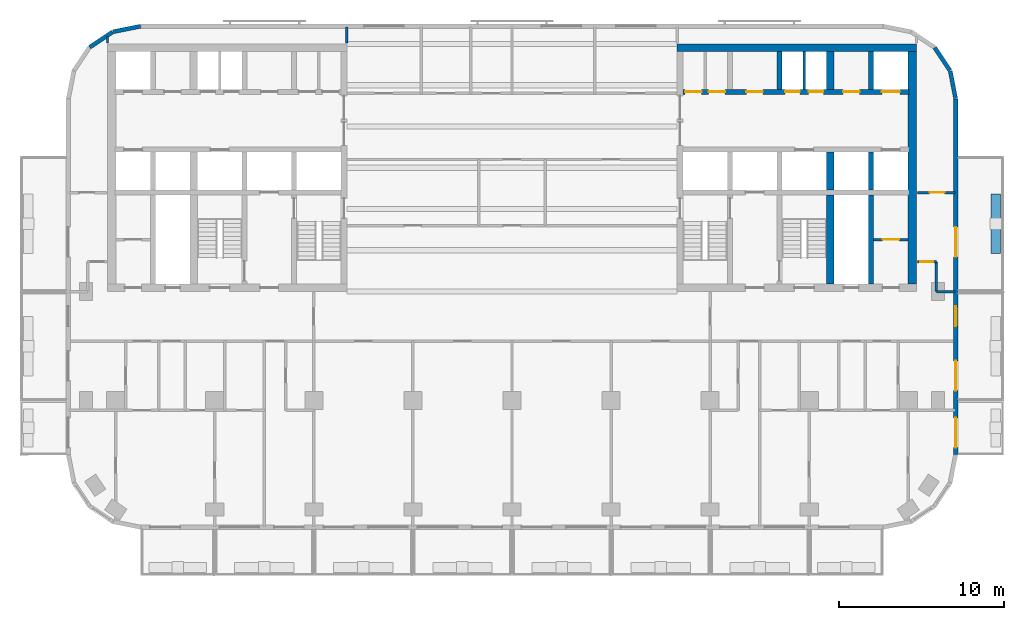
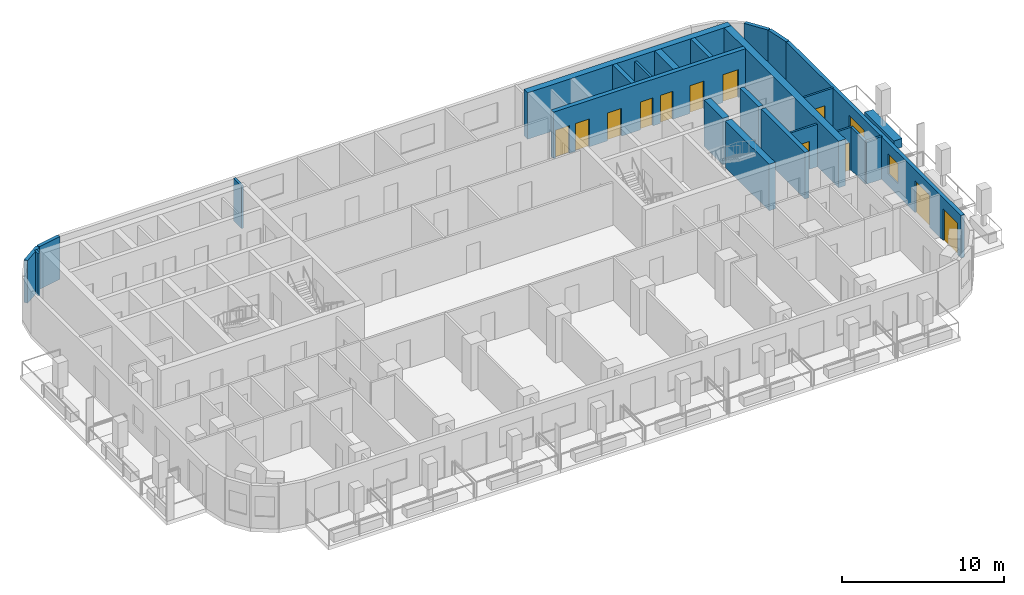
# One storey, part 7 of 12: 24 walls, 13 doors, 1 window, 14 openings.
"""IFC4 building model written with IfcOpenShell, lengths in metres."""

import ifcopenshell
import ifcopenshell.guid

model = None  # the IFC model being written
_history = None  # IfcOwnerHistory: only IFC2X3 demands one
_inside = {}  # id of a spatial element -> (the spatial element, [elements in it])
_under = {}  # id of a project, library or spatial element -> (it, [spatial elements below it])
_declared = {}  # id of a project -> (the project, [libraries it declares])
_typed = {}  # id of a type object -> (the type object, [elements of that type])
_made_of = {}  # id of a material, layer set ... -> (it, [elements and type objects made of it])


def new_model(schema):
    """Start an empty IFC model of exactly this schema.

    Asked for "IFC4X3", IfcOpenShell would pick the latest addendum, in which some entities
    have other attributes; the version numbers below select the first issue.
    IFC2X3 requires an IfcOwnerHistory on every rooted entity: one is made here for all.
    """
    global model, _history
    if schema == "IFC4X3":
        model = ifcopenshell.file(schema_version=(4, 3, 0, 0))
    else:
        model = ifcopenshell.file(schema=schema)
    _inside.clear()
    _under.clear()
    _declared.clear()
    _typed.clear()
    _made_of.clear()
    _history = None
    if model.schema == "IFC2X3":
        org = make("IfcOrganization", Name="unknown")
        user = make(
            "IfcPersonAndOrganization",
            ThePerson=make("IfcPerson", FamilyName="unknown"),
            TheOrganization=org,
        )
        app = make(
            "IfcApplication",
            ApplicationDeveloper=org,
            Version="unknown",
            ApplicationFullName="unknown",
            ApplicationIdentifier="unknown",
        )
        _history = make(
            "IfcOwnerHistory",
            OwningUser=user,
            OwningApplication=app,
            ChangeAction="ADDED",
            CreationDate=0,
        )
    return model


def make(cls, **values):
    """One entity of the class cls with the attributes given. An attribute that is None is left unset."""
    return model.create_entity(
        cls, **{name: value for name, value in values.items() if value is not None}
    )


def rooted(cls, **values):
    """An entity with a GlobalId (a new one), such as an element, a storey or a relation."""
    return make(cls, GlobalId=ifcopenshell.guid.new(), OwnerHistory=_history, **values)


def si_unit(unit_type, name, prefix=None):
    """IfcSIUnit, for example si_unit("LENGTHUNIT", "METRE", prefix="MILLI")."""
    return make("IfcSIUnit", UnitType=unit_type, Prefix=prefix, Name=name)


def assignment(units):
    """IfcUnitAssignment: the units of a project."""
    return None if units is None else make("IfcUnitAssignment", Units=units)


def point(xyz):
    """IfcCartesianPoint."""
    return None if xyz is None else make("IfcCartesianPoint", Coordinates=xyz)


def direction(xyz):
    """IfcDirection."""
    return None if xyz is None else make("IfcDirection", DirectionRatios=xyz)


def frame(location, z_axis=None, x_axis=None):
    """IfcAxis2Placement3D, a coordinate frame: its origin and axes. An axis left out is left unset."""
    return make(
        "IfcAxis2Placement3D",
        Location=point(location),
        Axis=direction(z_axis),
        RefDirection=direction(x_axis),
    )


def frame_2d(location, x_axis=None):
    """IfcAxis2Placement2D, a coordinate frame in the plane: its origin and x axis."""
    return make(
        "IfcAxis2Placement2D", Location=point(location), RefDirection=direction(x_axis)
    )


def origin():
    """The frame at (0, 0, 0) with its axes left unset."""
    return frame((0.0, 0.0, 0.0))


def place(relative_to, where):
    """IfcLocalPlacement: puts the frame where relative to a parent placement (None: the world)."""
    return make(
        "IfcLocalPlacement", PlacementRelTo=relative_to, RelativePlacement=where
    )


def context(
    kind, dimensions, precision=None, world=None, true_north=None, identifier=None
):
    """IfcGeometricRepresentationContext, for example the 3D "Model" context."""
    return make(
        "IfcGeometricRepresentationContext",
        ContextIdentifier=identifier,
        ContextType=kind,
        CoordinateSpaceDimension=dimensions,
        Precision=precision,
        WorldCoordinateSystem=world,
        TrueNorth=true_north,
    )


def subcontext(parent, identifier, kind, view, scale=None):
    """IfcGeometricRepresentationSubContext, for example "Body" below "Model"."""
    return make(
        "IfcGeometricRepresentationSubContext",
        ContextIdentifier=identifier,
        ContextType=kind,
        ParentContext=parent,
        TargetScale=scale,
        TargetView=view,
    )


def project(units=None, contexts=None):
    """IfcProject with its units and contexts."""
    return rooted(
        "IfcProject",
        Name="project",
        RepresentationContexts=contexts,
        UnitsInContext=assignment(units),
    )


def spatial(cls, under=None, at=None, **own):
    """A site, building, storey or space (cls), placed at a placement, below another one or the project."""
    s = rooted(cls, ObjectPlacement=at, **own)
    if under is not None:
        _under.setdefault(under.id(), (under, []))[1].append(s)
    return s


def profile(cls, at=None, kind="AREA", **sizes):
    """A parametric profile (cls). Its sizes go by their IFC names, for example OverallWidth=200.0."""
    return make(cls, ProfileType=kind, Position=at, **sizes)


def rectangle(**sizes):
    """IfcRectangleProfileDef."""
    return profile("IfcRectangleProfileDef", **sizes)


def extrude(swept, where, along, depth):
    """IfcExtrudedAreaSolid: the profile swept, set in the frame where, extruded along a direction by depth."""
    return make(
        "IfcExtrudedAreaSolid",
        SweptArea=swept,
        Position=where,
        ExtrudedDirection=direction(along),
        Depth=depth,
    )


def shape(context_of_items, identifier, shape_type, items):
    """IfcShapeRepresentation: the items that make up one representation, for example the "Body"."""
    return make(
        "IfcShapeRepresentation",
        ContextOfItems=context_of_items,
        RepresentationIdentifier=identifier,
        RepresentationType=shape_type,
        Items=items,
    )


def material(Name=None, Category=None):
    """IfcMaterial."""
    return make("IfcMaterial", Name=Name, Category=Category)


def layer(
    of_material, thickness, ventilated=None, Name=None, Category=None, Priority=None
):
    """IfcMaterialLayer: one layer of a wall or slab, of a material (None: an air gap)."""
    return make(
        "IfcMaterialLayer",
        Material=of_material,
        LayerThickness=thickness,
        IsVentilated=ventilated,
        Name=Name,
        Category=Category,
        Priority=Priority,
    )


def layer_set(layers, Name=None):
    """IfcMaterialLayerSet."""
    return make("IfcMaterialLayerSet", MaterialLayers=layers, LayerSetName=Name)


def made_of(thing, what):
    """Note that an element or type object is made of a material, layer set ...; save() writes the relation."""
    if what is not None:
        _made_of.setdefault(what.id(), (what, []))[1].append(thing)
    return thing


def type_object(cls, material=None, **own):
    """A type object (cls), such as IfcWallType, which elements share."""
    return made_of(rooted(cls, **own), material)


def element(
    cls,
    number,
    at=None,
    inside=None,
    cuts=None,
    type_object=None,
    material=None,
    context=None,
    identifier="Body",
    shape_type=None,
    held_by="IfcProductDefinitionShape",
    body=None,
    shapes=None,
    **own,
):
    """One element of the class cls, such as IfcWall. Its Tag is "e" and its number.

    at: its placement. inside: the storey or other place that contains it. cuts: it is an
    opening in that element (IfcRelVoidsElement). A single representation is given by context,
    identifier, shape_type and body (its items); several are given by shapes. held_by: the class
    of the entity that holds the representations. save() writes the other relations.
    """
    e = rooted(cls, Tag="e%d" % number, ObjectPlacement=at, **own)
    if body is not None:
        shapes = [shape(context, identifier, shape_type, body)]
    if shapes is not None:
        e.Representation = make(held_by, Representations=shapes)
    if inside is not None:
        _inside.setdefault(inside.id(), (inside, []))[1].append(e)
    if cuts is not None:
        rooted(
            "IfcRelVoidsElement", RelatingBuildingElement=cuts, RelatedOpeningElement=e
        )
    if type_object is not None:
        _typed.setdefault(type_object.id(), (type_object, []))[1].append(e)
    return made_of(e, material)


def fill(opening, filler):
    """IfcRelFillsElement: the door or window that sits in an opening."""
    return rooted(
        "IfcRelFillsElement",
        RelatingOpeningElement=opening,
        RelatedBuildingElement=filler,
    )


def aggregate(whole, parts):
    """IfcRelAggregates: a whole, such as a stair, and the parts it consists of."""
    return rooted("IfcRelAggregates", RelatingObject=whole, RelatedObjects=parts)


def save(model, path):
    """Write the relations noted so far, then the file.

    IfcRelAggregates (storeys below a building ...), IfcRelContainedInSpatialStructure (elements
    in a storey), IfcRelDefinesByType, IfcRelAssociatesMaterial and IfcRelDeclares: one each for
    every whole, place, type object, material and project.
    """
    for whole, parts in _under.values():
        aggregate(whole, parts)
    for where, things in _inside.values():
        rooted(
            "IfcRelContainedInSpatialStructure",
            RelatedElements=things,
            RelatingStructure=where,
        )
    for kind, things in _typed.values():
        rooted("IfcRelDefinesByType", RelatedObjects=things, RelatingType=kind)
    for what, things in _made_of.values():
        rooted("IfcRelAssociatesMaterial", RelatedObjects=things, RelatingMaterial=what)
    for by, libraries in _declared.values():
        rooted("IfcRelDeclares", RelatingContext=by, RelatedDefinitions=libraries)
    model.write(path)


model = new_model("IFC4")

# Units and contexts
model_context = context("Model", 3, precision=1e-05, world=origin(), true_north=direction((0.0, 1.0)))
body_context = subcontext(model_context, "Body", "Model", "MODEL_VIEW")
ifc_project = project(units=[si_unit("LENGTHUNIT", "METRE"), si_unit("AREAUNIT", "SQUARE_METRE"), si_unit("VOLUMEUNIT", "CUBIC_METRE"), si_unit("PLANEANGLEUNIT", "RADIAN"), si_unit("MASSUNIT", "GRAM", prefix="KILO")], contexts=[model_context])

# Site, building, storey
site_placement = place(None, origin())
site = spatial("IfcSite", under=ifc_project, at=site_placement, CompositionType="ELEMENT")
building_placement = place(site_placement, origin())
building = spatial("IfcBuilding", under=site, at=building_placement, Name="Torana Hotel and Residences", CompositionType="ELEMENT")
storey_placement = place(building_placement, frame((0.0, 0.0, 197.60009765625)))
storey = spatial("IfcBuildingStorey", under=building, at=storey_placement, Name="L51", CompositionType="ELEMENT", Elevation=197.60009765625)

# Wall, openings, doors
ifc_material_1 = material(Name="Concrete C70/85", Category="concrete")
ifc_layer_1 = layer(ifc_material_1, 0.300048828125)
ifc_layer_set_1 = layer_set([ifc_layer_1], Name="CORE WALL 300 C70/85")
wall_type_1 = type_object("IfcWallType", Name="CORE WALL 300 C70/85", PredefinedType="SHEAR", material=ifc_layer_set_1)
wall_1_placement = place(storey_placement, frame((10.35009765625, -2.89990234375, 0.0), z_axis=(0.0, 0.0, 1.0), x_axis=(1.0, 0.0, 0.0)))
wall_1 = element("IfcWall", 1, at=wall_1_placement, inside=storey, type_object=wall_type_1, Name="Core wall E row-N", PredefinedType="SHEAR", context=body_context, shape_type="SweptSolid", body=[
    extrude(rectangle(XDim=13.699951171875, YDim=0.300048828125, at=frame_2d((6.85009765625, 0.0))), origin(), (0.0, 0.0, 1.0), 3.5),
])
opening_1_placement = place(wall_1_placement, frame((12.050048828125, 0.0, 0.0)))
opening_1 = element("IfcOpeningElement", 2, at=opening_1_placement, cuts=wall_1, Name="Opening LD", PredefinedType="OPENING", context=body_context, shape_type="SweptSolid", body=[
    extrude(rectangle(XDim=1.10009765625, YDim=2.10009765625, at=frame_2d((0.550048828125, 1.050048828125))), frame((0.0, 0.159912109375, 0.0), z_axis=(0.0, -1.0, 0.0), x_axis=(1.0, 0.0, 0.0)), (0.0, 0.0, 1.0), 0.320068359375),
])
opening_2_placement = place(wall_1_placement, frame((6.1875, 0.0, 0.0)))
opening_2 = element("IfcOpeningElement", 3, at=opening_2_placement, cuts=wall_1, Name="Opening L51-23", PredefinedType="OPENING", context=body_context, shape_type="SweptSolid", body=[
    extrude(rectangle(XDim=0.89990234375, YDim=2.10009765625, at=frame_2d((0.449951171875, 1.050048828125))), frame((0.0, 0.159912109375, 0.0), z_axis=(0.0, -1.0, 0.0), x_axis=(1.0, 0.0, 0.0)), (0.0, 0.0, 1.0), 0.320068359375),
])
opening_3_placement = place(wall_1_placement, frame((7.612548828125, 0.0, 0.0)))
opening_3 = element("IfcOpeningElement", 4, at=opening_3_placement, cuts=wall_1, Name="Opening L51-24", PredefinedType="OPENING", context=body_context, shape_type="SweptSolid", body=[
    extrude(rectangle(XDim=0.89990234375, YDim=2.10009765625, at=frame_2d((0.449951171875, 1.050048828125))), frame((0.0, 0.159912109375, 0.0), z_axis=(0.0, -1.0, 0.0), x_axis=(1.0, 0.0, 0.0)), (0.0, 0.0, 1.0), 0.320068359375),
])
opening_4_placement = place(wall_1_placement, frame((0.137451171875, 0.0, 0.0)))
opening_4 = element("IfcOpeningElement", 5, at=opening_4_placement, cuts=wall_1, Name="Opening L51-25", PredefinedType="OPENING", context=body_context, shape_type="SweptSolid", body=[
    extrude(rectangle(XDim=1.0, YDim=2.10009765625, at=frame_2d((0.5, 1.050048828125))), frame((0.0, 0.159912109375, 0.0), z_axis=(0.0, -1.0, 0.0), x_axis=(1.0, 0.0, 0.0)), (0.0, 0.0, 1.0), 0.320068359375),
])
opening_5_placement = place(wall_1_placement, frame((1.5625, 0.0, 0.0)))
opening_5 = element("IfcOpeningElement", 6, at=opening_5_placement, cuts=wall_1, Name="Opening L51-26", PredefinedType="OPENING", context=body_context, shape_type="SweptSolid", body=[
    extrude(rectangle(XDim=1.0, YDim=2.10009765625, at=frame_2d((0.5, 1.050048828125))), frame((0.0, 0.159912109375, 0.0), z_axis=(0.0, -1.0, 0.0), x_axis=(1.0, 0.0, 0.0)), (0.0, 0.0, 1.0), 0.320068359375),
])
opening_6_placement = place(wall_1_placement, frame((3.85009765625, 0.0, 0.0)))
opening_6 = element("IfcOpeningElement", 7, at=opening_6_placement, cuts=wall_1, Name="Opening L51-27", PredefinedType="OPENING", context=body_context, shape_type="SweptSolid", body=[
    extrude(rectangle(XDim=1.0, YDim=2.10009765625, at=frame_2d((0.5, 1.050048828125))), frame((0.0, 0.159912109375, 0.0), z_axis=(0.0, -1.0, 0.0), x_axis=(1.0, 0.0, 0.0)), (0.0, 0.0, 1.0), 0.320068359375),
])
opening_7_placement = place(wall_1_placement, frame((9.699951171875, 0.0, 0.0)))
opening_7 = element("IfcOpeningElement", 8, at=opening_7_placement, cuts=wall_1, Name="Opening L51-28", PredefinedType="OPENING", context=body_context, shape_type="SweptSolid", body=[
    extrude(rectangle(XDim=1.0, YDim=2.10009765625, at=frame_2d((0.5, 1.050048828125))), frame((0.0, 0.159912109375, 0.0), z_axis=(0.0, -1.0, 0.0), x_axis=(1.0, 0.0, 0.0)), (0.0, 0.0, 1.0), 0.320068359375),
])
ifc_material_2 = material(Name="Steel S235", Category="steel")
door_type_1 = type_object("IfcDoorType", Name="CORE ROOM FIRE DOOR D14 1000x2100", OperationType="SINGLE_SWING_LEFT", PredefinedType="DOOR", material=ifc_material_2)
door_1_placement = place(opening_4_placement, origin())
door_1 = element("IfcDoor", 9, at=door_1_placement, inside=storey, type_object=door_type_1, Name="N0A door L51", OperationType="SINGLE_SWING_RIGHT", OverallHeight=2.10009765625, OverallWidth=1.0, PredefinedType="DOOR", context=body_context, shape_type="SweptSolid", body=[
    extrude(rectangle(XDim=1.0, YDim=2.10009765625, at=frame_2d((0.5, 1.050048828125))), frame((0.0, 0.02490234375, 0.0), z_axis=(0.0, -1.0, 0.0), x_axis=(1.0, 0.0, 0.0)), (0.0, 0.0, 1.0), 0.050048828125),
])
fill(opening_4, door_1)
door_2_placement = place(opening_5_placement, origin())
door_2 = element("IfcDoor", 10, at=door_2_placement, inside=storey, type_object=door_type_1, Name="N0B door L51", OperationType="SINGLE_SWING_RIGHT", OverallHeight=2.10009765625, OverallWidth=1.0, PredefinedType="DOOR", context=body_context, shape_type="SweptSolid", body=[
    extrude(rectangle(XDim=1.0, YDim=2.10009765625, at=frame_2d((0.5, 1.050048828125))), frame((0.0, 0.02490234375, 0.0), z_axis=(0.0, -1.0, 0.0), x_axis=(1.0, 0.0, 0.0)), (0.0, 0.0, 1.0), 0.050048828125),
])
fill(opening_5, door_2)
door_3_placement = place(opening_6_placement, origin())
door_3 = element("IfcDoor", 11, at=door_3_placement, inside=storey, type_object=door_type_1, Name="N1 door L51", OperationType="SINGLE_SWING_RIGHT", OverallHeight=2.10009765625, OverallWidth=1.0, PredefinedType="DOOR", context=body_context, shape_type="SweptSolid", body=[
    extrude(rectangle(XDim=1.0, YDim=2.10009765625, at=frame_2d((0.5, 1.050048828125))), frame((0.0, 0.02490234375, 0.0), z_axis=(0.0, -1.0, 0.0), x_axis=(1.0, 0.0, 0.0)), (0.0, 0.0, 1.0), 0.050048828125),
])
fill(opening_6, door_3)
door_4_placement = place(opening_7_placement, origin())
door_4 = element("IfcDoor", 12, at=door_4_placement, inside=storey, type_object=door_type_1, Name="Freed-S2 door L51", OperationType="SINGLE_SWING_RIGHT", OverallHeight=2.10009765625, OverallWidth=1.0, PredefinedType="DOOR", context=body_context, shape_type="SweptSolid", body=[
    extrude(rectangle(XDim=1.0, YDim=2.10009765625, at=frame_2d((0.5, 1.050048828125))), frame((0.0, 0.02490234375, 0.0), z_axis=(0.0, -1.0, 0.0), x_axis=(1.0, 0.0, 0.0)), (0.0, 0.0, 1.0), 0.050048828125),
])
fill(opening_7, door_4)
ifc_material_3 = material(Name="Stainless steel 316", Category="steel")
door_type_2 = type_object("IfcDoorType", Name="LIFT LANDING DOOR LD 1100x2100", OperationType="DOUBLE_DOOR_SLIDING", PredefinedType="USERDEFINED", material=ifc_material_3)
door_5_placement = place(opening_1_placement, origin())
door_5 = element("IfcDoor", 13, at=door_5_placement, inside=storey, type_object=door_type_2, Name="Lift landing door M3 L51", ObjectType="LIFT LANDING DOOR", OperationType="DOUBLE_DOOR_SLIDING", OverallHeight=2.10009765625, OverallWidth=1.10009765625, PredefinedType="USERDEFINED", context=body_context, shape_type="SweptSolid", body=[
    extrude(rectangle(XDim=1.10009765625, YDim=2.10009765625, at=frame_2d((0.550048828125, 1.050048828125))), frame((0.0, 0.02490234375, 0.0), z_axis=(0.0, -1.0, 0.0), x_axis=(1.0, 0.0, 0.0)), (0.0, 0.0, 1.0), 0.050048828125),
])
fill(opening_1, door_5)
ifc_material_4 = material(Name="Steel S235", Category="steel")
door_type_3 = type_object("IfcDoorType", Name="RISER ACCESS DOOR D5 900x2100", OperationType="SINGLE_SWING_LEFT", PredefinedType="DOOR", material=ifc_material_4)
door_6_placement = place(opening_2_placement, origin())
door_6 = element("IfcDoor", 14, at=door_6_placement, inside=storey, type_object=door_type_3, Name="N2A door L51", OperationType="SINGLE_SWING_RIGHT", OverallHeight=2.10009765625, OverallWidth=0.89990234375, PredefinedType="DOOR", context=body_context, shape_type="SweptSolid", body=[
    extrude(rectangle(XDim=0.89990234375, YDim=2.10009765625, at=frame_2d((0.449951171875, 1.050048828125))), frame((0.0, 0.02490234375, 0.0), z_axis=(0.0, -1.0, 0.0), x_axis=(1.0, 0.0, 0.0)), (0.0, 0.0, 1.0), 0.050048828125),
])
fill(opening_2, door_6)
door_7_placement = place(opening_3_placement, origin())
door_7 = element("IfcDoor", 15, at=door_7_placement, inside=storey, type_object=door_type_3, Name="N2B door L51", OperationType="SINGLE_SWING_RIGHT", OverallHeight=2.10009765625, OverallWidth=0.89990234375, PredefinedType="DOOR", context=body_context, shape_type="SweptSolid", body=[
    extrude(rectangle(XDim=0.89990234375, YDim=2.10009765625, at=frame_2d((0.449951171875, 1.050048828125))), frame((0.0, 0.02490234375, 0.0), z_axis=(0.0, -1.0, 0.0), x_axis=(1.0, 0.0, 0.0)), (0.0, 0.0, 1.0), 0.050048828125),
])
fill(opening_3, door_7)

# Walls
for number, where, z_axis, x_axis, name in (
    (16, (16.199951171875, -2.75, 0.0), (0.0, 0.0, 1.0), (0.0, 1.0, 0.0), "Core wall E x6.05-N"),
    (17, (21.75, -2.75, 0.0), (0.0, 0.0, 1.0), (0.0, 1.0, 0.0), "Core wall E mm-N"),
    (18, (21.75, -8.85009765625, 0.0), (0.0, 0.0, 1.0), (0.0, 1.0, 0.0), "Core wall E mm-S"),
):
    element("IfcWall", number, at=place(storey_placement, frame(where, z_axis=z_axis, x_axis=x_axis)), inside=storey, type_object=wall_type_1, Name=name, PredefinedType="SHEAR", context=body_context, shape_type="SweptSolid", body=[
        extrude(rectangle(XDim=2.300048828125, YDim=0.300048828125, at=frame_2d((1.14990234375, 0.0))), origin(), (0.0, 0.0, 1.0), 3.5),
    ])
wall_2_placement = place(storey_placement, frame((21.75, -14.550048828125, 0.0), z_axis=(0.0, 0.0, 1.0), x_axis=(0.0, 1.0, 0.0)))
element("IfcWall", 19, at=wall_2_placement, inside=storey, type_object=wall_type_1, Name="Core wall E mm-band", PredefinedType="SHEAR", context=body_context, shape_type="SweptSolid", body=[
    extrude(rectangle(XDim=5.400146484375, YDim=0.300048828125, at=frame_2d((2.7001953125, 0.0))), origin(), (0.0, 0.0, 1.0), 3.5),
])
ifc_material_5 = material(Name="Concrete C70/85", Category="concrete")
ifc_layer_2 = layer(ifc_material_5, 0.449951171875)
ifc_layer_set_2 = layer_set([ifc_layer_2], Name="CORE WALL 450 C70/85")
wall_type_2 = type_object("IfcWallType", Name="CORE WALL 450 C70/85", PredefinedType="SHEAR", material=ifc_layer_set_2)
wall_3_placement = place(storey_placement, frame((10.0, -0.22509765625, 0.0), z_axis=(0.0, 0.0, 1.0), x_axis=(1.0, 0.0, 0.0)))
element("IfcWall", 20, at=wall_3_placement, inside=storey, type_object=wall_type_2, Name="Core wall E rear", PredefinedType="SHEAR", context=body_context, shape_type="SweptSolid", body=[
    extrude(rectangle(XDim=14.5, YDim=0.449951171875, at=frame_2d((7.25, 0.0))), origin(), (0.0, 0.0, 1.0), 3.5),
])
for number, where, z_axis, x_axis, name in (
    (21, (19.27490234375, -2.75, 0.0), (0.0, 0.0, 1.0), (0.0, 1.0, 0.0), "Core wall E hm-N"),
    (22, (19.27490234375, -8.85009765625, 0.0), (0.0, 0.0, 1.0), (0.0, 1.0, 0.0), "Core wall E hm-S"),
):
    element("IfcWall", number, at=place(storey_placement, frame(where, z_axis=z_axis, x_axis=x_axis)), inside=storey, type_object=wall_type_2, Name=name, PredefinedType="SHEAR", context=body_context, shape_type="SweptSolid", body=[
        extrude(rectangle(XDim=2.300048828125, YDim=0.449951171875, at=frame_2d((1.14990234375, 0.0))), origin(), (0.0, 0.0, 1.0), 3.5),
    ])
wall_4_placement = place(storey_placement, frame((19.27490234375, -14.550048828125, 0.0), z_axis=(0.0, 0.0, 1.0), x_axis=(0.0, 1.0, 0.0)))
element("IfcWall", 23, at=wall_4_placement, inside=storey, type_object=wall_type_2, Name="Core wall E hm-band", PredefinedType="SHEAR", context=body_context, shape_type="SweptSolid", body=[
    extrude(rectangle(XDim=5.400146484375, YDim=0.449951171875, at=frame_2d((2.7001953125, 0.0))), origin(), (0.0, 0.0, 1.0), 3.5),
])
ifc_material_6 = material(Name="Concrete C70/85", Category="concrete")
ifc_layer_3 = layer(ifc_material_6, 0.5)
ifc_layer_set_3 = layer_set([ifc_layer_3], Name="CORE WALL 500 C70/85")
wall_type_3 = type_object("IfcWallType", Name="CORE WALL 500 C70/85", PredefinedType="SHEAR", material=ifc_layer_set_3)
wall_5_placement = place(storey_placement, frame((24.25, -14.550048828125, 0.0), z_axis=(0.0, 0.0, 1.0), x_axis=(0.0, 1.0, 0.0)))
element("IfcWall", 24, at=wall_5_placement, inside=storey, type_object=wall_type_3, Name="Core wall E outer", PredefinedType="SHEAR", context=body_context, shape_type="SweptSolid", body=[
    extrude(rectangle(XDim=14.10009765625, YDim=0.5, at=frame_2d((7.050048828125, 0.0))), origin(), (0.0, 0.0, 1.0), 3.5),
])
ifc_material_7 = material(Name="Black aluminium composite panel", Category="aluminium")
ifc_layer_4 = layer(ifc_material_7, 0.00390625, Name="Cladding", Category="cladding")
ifc_material_8 = material(Name="Ventilated air cavity")
ifc_layer_5 = layer(ifc_material_8, 0.0400390625, Name="Ventilated cavity", Category="cavity")
ifc_material_9 = material(Name="Mineral wool insulation")
ifc_layer_6 = layer(ifc_material_9, 0.090087890625, Name="Insulation", Category="insulation")
ifc_material_10 = material(Name="Steel S280GD", Category="steel")
ifc_layer_7 = layer(ifc_material_10, 0.092041015625, Name="Steel stud frame", Category="structure")
ifc_material_11 = material(Name="Fire rated plasterboard")
ifc_layer_8 = layer(ifc_material_11, 0.011962890625, Name="Inner board", Category="finish")
ifc_layer_9 = layer(ifc_material_11, 0.011962890625, Name="Second board", Category="finish")
ifc_layer_set_4 = layer_set([ifc_layer_4, ifc_layer_5, ifc_layer_6, ifc_layer_7, ifc_layer_8, ifc_layer_9], Name="EW1 EXTERNAL WALL BLACK METAL CLAD 250")
wall_type_4 = type_object("IfcWallType", Name="EW1 EXTERNAL WALL BLACK METAL CLAD 250", PredefinedType="SOLIDWALL", material=ifc_layer_set_4)
wall_6_placement = place(storey_placement, frame((26.87255859375, -3.30029296875, 0.0), z_axis=(0.0, 0.0, 1.0), x_axis=(-0.194999110559, 0.980803419081, 0.0)))
element("IfcWall", 25, at=wall_6_placement, inside=storey, type_object=wall_type_4, Name="External wall L51 e0.0", PredefinedType="SOLIDWALL", context=body_context, shape_type="SweptSolid", body=[
    extrude(rectangle(XDim=1.681396484375, YDim=0.25, at=frame_2d((0.8408203125, 0.0))), origin(), (0.0, 0.0, 1.0), 3.219970703125),
])
wall_7_placement = place(storey_placement, frame((26.52587890625, -1.60595703125, 0.0), z_axis=(0.0, 0.0, 1.0), x_axis=(-0.55555029066, 0.831482937015, 0.0)))
element("IfcWall", 26, at=wall_7_placement, inside=storey, type_object=wall_type_4, Name="External wall L51 e0.1", PredefinedType="SOLIDWALL", context=body_context, shape_type="SweptSolid", body=[
    extrude(rectangle(XDim=1.65625, YDim=0.25, at=frame_2d((0.828125, 0.0))), origin(), (0.0, 0.0, 1.0), 3.219970703125),
])
wall_8_placement = place(storey_placement, frame((-22.499755859375, 1.072509765625, 0.0), z_axis=(0.0, 0.0, 1.0), x_axis=(-0.980803419081, -0.194999110559, 0.0)))
element("IfcWall", 27, at=wall_8_placement, inside=storey, type_object=wall_type_4, Name="External wall L51 e0.5", PredefinedType="SOLIDWALL", context=body_context, shape_type="SweptSolid", body=[
    extrude(rectangle(XDim=1.681396484375, YDim=0.25, at=frame_2d((0.8408203125, 0.0))), origin(), (0.0, 0.0, 1.0), 3.219970703125),
])
wall_9_placement = place(storey_placement, frame((-24.194091796875, 0.725830078125, 0.0), z_axis=(0.0, 0.0, 1.0), x_axis=(-0.831482937015, -0.55555029066, 0.0)))
element("IfcWall", 28, at=wall_9_placement, inside=storey, type_object=wall_type_4, Name="External wall L51 e0.6", PredefinedType="SOLIDWALL", context=body_context, shape_type="SweptSolid", body=[
    extrude(rectangle(XDim=1.65625, YDim=0.25, at=frame_2d((0.828125, 0.0))), origin(), (0.0, 0.0, 1.0), 3.219970703125),
])

# Wall, openings, doors, window
wall_10_placement = place(storey_placement, frame((26.875, -24.87548828125, 0.0), z_axis=(0.0, 0.0, 1.0), x_axis=(0.0, 1.0, 0.0)))
wall_10 = element("IfcWall", 29, at=wall_10_placement, inside=storey, type_object=wall_type_4, Name="External wall L51 e0.19", PredefinedType="SOLIDWALL", context=body_context, shape_type="SweptSolid", body=[
    extrude(rectangle(XDim=21.55078125, YDim=0.25, at=frame_2d((10.775390625, 0.0))), origin(), (0.0, 0.0, 1.0), 3.219970703125),
])
opening_8_placement = place(wall_10_placement, frame((0.42529296875, 0.0, 0.0)))
opening_8 = element("IfcOpeningElement", 30, at=opening_8_placement, cuts=wall_10, Name="Opening L51-E09", PredefinedType="OPENING", context=body_context, shape_type="SweptSolid", body=[
    extrude(rectangle(XDim=1.800048828125, YDim=2.39990234375, at=frame_2d((0.89990234375, 1.199951171875))), frame((0.0, 0.135009765625, 0.0), z_axis=(0.0, -1.0, 0.0), x_axis=(1.0, 0.0, 0.0)), (0.0, 0.0, 1.0), 0.27001953125),
])
opening_9_placement = place(wall_10_placement, frame((3.87548828125, 0.0, 0.0)))
opening_9 = element("IfcOpeningElement", 31, at=opening_9_placement, cuts=wall_10, Name="Opening L51-E10", PredefinedType="OPENING", context=body_context, shape_type="SweptSolid", body=[
    extrude(rectangle(XDim=1.800048828125, YDim=2.39990234375, at=frame_2d((0.89990234375, 1.199951171875))), frame((0.0, 0.135009765625, 0.0), z_axis=(0.0, -1.0, 0.0), x_axis=(1.0, 0.0, 0.0)), (0.0, 0.0, 1.0), 0.27001953125),
])
opening_10_placement = place(wall_10_placement, frame((7.775390625, 0.0, 0.89990234375)))
opening_10 = element("IfcOpeningElement", 32, at=opening_10_placement, cuts=wall_10, Name="Opening W5", PredefinedType="OPENING", context=body_context, shape_type="SweptSolid", body=[
    extrude(rectangle(XDim=1.199951171875, YDim=1.5, at=frame_2d((0.60009765625, 0.75))), frame((0.0, 0.135009765625, 0.0), z_axis=(0.0, -1.0, 0.0), x_axis=(1.0, 0.0, 0.0)), (0.0, 0.0, 1.0), 0.27001953125),
])
opening_11_placement = place(wall_10_placement, frame((11.975341796875, 0.0, 0.0)))
opening_11 = element("IfcOpeningElement", 33, at=opening_11_placement, cuts=wall_10, Name="Opening L51-E11", PredefinedType="OPENING", context=body_context, shape_type="SweptSolid", body=[
    extrude(rectangle(XDim=1.800048828125, YDim=2.39990234375, at=frame_2d((0.89990234375, 1.199951171875))), frame((0.0, 0.135009765625, 0.0), z_axis=(0.0, -1.0, 0.0), x_axis=(1.0, 0.0, 0.0)), (0.0, 0.0, 1.0), 0.27001953125),
])
ifc_material_12 = material(Name="Dark glass in black aluminium frame", Category="aluminium")
door_type_4 = type_object("IfcDoorType", Name="DB1 BALCONY DOOR 1800x2400", OperationType="DOUBLE_DOOR_SINGLE_SWING", PredefinedType="DOOR", material=ifc_material_12)
door_8_placement = place(opening_8_placement, origin())
door_8 = element("IfcDoor", 34, at=door_8_placement, inside=storey, type_object=door_type_4, Name="Balcony door L51", OperationType="DOUBLE_DOOR_SINGLE_SWING", OverallHeight=2.39990234375, OverallWidth=1.800048828125, PredefinedType="DOOR", context=body_context, shape_type="SweptSolid", body=[
    extrude(rectangle(XDim=1.800048828125, YDim=2.39990234375, at=frame_2d((0.89990234375, 1.199951171875))), frame((0.0, 0.02490234375, 0.0), z_axis=(0.0, -1.0, 0.0), x_axis=(1.0, 0.0, 0.0)), (0.0, 0.0, 1.0), 0.050048828125),
])
fill(opening_8, door_8)
door_9_placement = place(opening_9_placement, origin())
door_9 = element("IfcDoor", 35, at=door_9_placement, inside=storey, type_object=door_type_4, Name="Balcony door L51", OperationType="DOUBLE_DOOR_SINGLE_SWING", OverallHeight=2.39990234375, OverallWidth=1.800048828125, PredefinedType="DOOR", context=body_context, shape_type="SweptSolid", body=[
    extrude(rectangle(XDim=1.800048828125, YDim=2.39990234375, at=frame_2d((0.89990234375, 1.199951171875))), frame((0.0, 0.02490234375, 0.0), z_axis=(0.0, -1.0, 0.0), x_axis=(1.0, 0.0, 0.0)), (0.0, 0.0, 1.0), 0.050048828125),
])
fill(opening_9, door_9)
door_10_placement = place(opening_11_placement, origin())
door_10 = element("IfcDoor", 36, at=door_10_placement, inside=storey, type_object=door_type_4, Name="Balcony door L51", OperationType="DOUBLE_DOOR_SINGLE_SWING", OverallHeight=2.39990234375, OverallWidth=1.800048828125, PredefinedType="DOOR", context=body_context, shape_type="SweptSolid", body=[
    extrude(rectangle(XDim=1.800048828125, YDim=2.39990234375, at=frame_2d((0.89990234375, 1.199951171875))), frame((0.0, 0.02490234375, 0.0), z_axis=(0.0, -1.0, 0.0), x_axis=(1.0, 0.0, 0.0)), (0.0, 0.0, 1.0), 0.050048828125),
])
fill(opening_11, door_10)
ifc_material_13 = material(Name="Dark glass in black aluminium frame", Category="aluminium")
window_type = type_object("IfcWindowType", Name="W5 CORNER FACET WINDOW 1200x1500", PartitioningType="SINGLE_PANEL", PredefinedType="WINDOW", material=ifc_material_13)
window_placement = place(opening_10_placement, origin())
window = element("IfcWindow", 37, at=window_placement, inside=storey, type_object=window_type, Name="Window L51", OverallHeight=1.5, OverallWidth=1.199951171875, PartitioningType="SINGLE_PANEL", PredefinedType="WINDOW", context=body_context, shape_type="SweptSolid", body=[
    extrude(rectangle(XDim=1.199951171875, YDim=1.5, at=frame_2d((0.60009765625, 0.75))), frame((0.0, 0.030029296875, 0.0), z_axis=(0.0, -1.0, 0.0), x_axis=(1.0, 0.0, 0.0)), (0.0, 0.0, 1.0), 0.06005859375),
])
fill(opening_10, window)

# Wall
ifc_material_14 = material(Name="Gypsum plaster")
ifc_layer_10 = layer(ifc_material_14, 0.014892578125, Name="Plaster", Category="finish")
ifc_material_15 = material(Name="Concrete blockwork", Category="masonry")
ifc_layer_11 = layer(ifc_material_15, 0.1201171875, Name="Blockwork", Category="structure")
ifc_layer_12 = layer(ifc_material_14, 0.014892578125, Name="Plaster", Category="finish")
ifc_layer_set_5 = layer_set([ifc_layer_10, ifc_layer_11, ifc_layer_12], Name="FIRE PARTITION 150 BLOCKWORK")
wall_type_5 = type_object("IfcWallType", Name="FIRE PARTITION 150 BLOCKWORK", PredefinedType="PARTITIONING", material=ifc_layer_set_5)
wall_11_placement = place(storey_placement, frame((17.699951171875, -2.75, 0.0), z_axis=(0.0, 0.0, 1.0), x_axis=(0.0, 1.0, 0.0)))
element("IfcWall", 38, at=wall_11_placement, inside=storey, type_object=wall_type_5, Name="Core partition L51", PredefinedType="PARTITIONING", context=body_context, shape_type="SweptSolid", body=[
    extrude(rectangle(XDim=2.300048828125, YDim=0.14990234375, at=frame_2d((1.14990234375, 0.0))), origin(), (0.0, 0.0, 1.0), 3.199951171875),
])

# Wall, opening, door
wall_12_placement = place(storey_placement, frame((21.89990234375, -11.85009765625, 0.0), z_axis=(0.0, 0.0, 1.0), x_axis=(1.0, 0.0, 0.0)))
wall_12 = element("IfcWall", 39, at=wall_12_placement, inside=storey, type_object=wall_type_5, Name="Core partition L51", PredefinedType="PARTITIONING", context=body_context, shape_type="SweptSolid", body=[
    extrude(rectangle(XDim=2.10009765625, YDim=0.14990234375, at=frame_2d((1.050048828125, 0.0))), origin(), (0.0, 0.0, 1.0), 3.199951171875),
])
opening_12_placement = place(wall_12_placement, frame((0.550048828125, 0.0, 0.0)))
opening_12 = element("IfcOpeningElement", 40, at=opening_12_placement, cuts=wall_12, Name="Opening L51-32", PredefinedType="OPENING", context=body_context, shape_type="SweptSolid", body=[
    extrude(rectangle(XDim=1.0, YDim=2.10009765625, at=frame_2d((0.5, 1.050048828125))), frame((0.0, 0.0849609375, 0.0), z_axis=(0.0, -1.0, 0.0), x_axis=(1.0, 0.0, 0.0)), (0.0, 0.0, 1.0), 0.169921875),
])
door_11_placement = place(opening_12_placement, origin())
door_11 = element("IfcDoor", 41, at=door_11_placement, inside=storey, type_object=door_type_1, Name="Plant room door L51", OperationType="SINGLE_SWING_RIGHT", OverallHeight=2.10009765625, OverallWidth=1.0, PredefinedType="DOOR", context=body_context, shape_type="SweptSolid", body=[
    extrude(rectangle(XDim=1.0, YDim=2.10009765625, at=frame_2d((0.5, 1.050048828125))), frame((0.0, 0.02490234375, 0.0), z_axis=(0.0, -1.0, 0.0), x_axis=(1.0, 0.0, 0.0)), (0.0, 0.0, 1.0), 0.050048828125),
])
fill(opening_12, door_11)

# Walls
wall_13_placement = place(storey_placement, frame((25.699951171875, -15.0, 0.0), z_axis=(0.0, 0.0, 1.0), x_axis=(0.0, 1.0, 0.0)))
element("IfcWall", 42, at=wall_13_placement, inside=storey, type_object=wall_type_5, Name="Partition L51", PredefinedType="PARTITIONING", context=body_context, shape_type="SweptSolid", body=[
    extrude(rectangle(XDim=1.800048828125, YDim=0.14990234375, at=frame_2d((0.89990234375, 0.0))), origin(), (0.0, 0.0, 1.0), 3.219970703125),
])
wall_14_placement = place(storey_placement, frame((25.699951171875, -15.0, 0.0), z_axis=(0.0, 0.0, 1.0), x_axis=(1.0, 0.0, 0.0)))
element("IfcWall", 43, at=wall_14_placement, inside=storey, type_object=wall_type_5, Name="Partition L51", PredefinedType="PARTITIONING", context=body_context, shape_type="SweptSolid", body=[
    extrude(rectangle(XDim=1.1201171875, YDim=0.14990234375, at=frame_2d((0.56005859375, 0.0))), origin(), (0.0, 0.0, 1.0), 3.219970703125),
])

# Wall, opening, door
wall_15_placement = place(storey_placement, frame((24.550048828125, -13.199951171875, 0.0), z_axis=(0.0, 0.0, 1.0), x_axis=(1.0, 0.0, 0.0)))
wall_15 = element("IfcWall", 44, at=wall_15_placement, inside=storey, type_object=wall_type_5, Name="Partition L51", PredefinedType="PARTITIONING", context=body_context, shape_type="SweptSolid", body=[
    extrude(rectangle(XDim=1.14990234375, YDim=0.14990234375, at=frame_2d((0.574951171875, 0.0))), origin(), (0.0, 0.0, 1.0), 3.219970703125),
])
opening_13_placement = place(wall_15_placement, frame((0.175048828125, 0.0, 0.0)))
opening_13 = element("IfcOpeningElement", 45, at=opening_13_placement, cuts=wall_15, Name="Opening L51-42", PredefinedType="OPENING", context=body_context, shape_type="SweptSolid", body=[
    extrude(rectangle(XDim=0.800048828125, YDim=2.10009765625, at=frame_2d((0.39990234375, 1.050048828125))), frame((0.0, 0.0849609375, 0.0), z_axis=(0.0, -1.0, 0.0), x_axis=(1.0, 0.0, 0.0)), (0.0, 0.0, 1.0), 0.169921875),
])
ifc_material_16 = material(Name="Steel S235", Category="steel")
door_type_5 = type_object("IfcDoorType", Name="STORE FIRE DOOR D16 800x2100", OperationType="SINGLE_SWING_LEFT", PredefinedType="DOOR", material=ifc_material_16)
door_12_placement = place(opening_13_placement, origin())
door_12 = element("IfcDoor", 46, at=door_12_placement, inside=storey, type_object=door_type_5, Name="Door L51", OperationType="SINGLE_SWING_RIGHT", OverallHeight=2.10009765625, OverallWidth=0.800048828125, PredefinedType="DOOR", context=body_context, shape_type="SweptSolid", body=[
    extrude(rectangle(XDim=0.800048828125, YDim=2.10009765625, at=frame_2d((0.39990234375, 1.050048828125))), frame((0.0, 0.02490234375, 0.0), z_axis=(0.0, -1.0, 0.0), x_axis=(1.0, 0.0, 0.0)), (0.0, 0.0, 1.0), 0.050048828125),
])
fill(opening_13, door_12)

# Walls
ifc_material_17 = material(Name="Gypsum plasterboard")
ifc_layer_13 = layer(ifc_material_17, 0.012451171875, Name="Plasterboard", Category="finish")
ifc_layer_14 = layer(ifc_material_17, 0.012451171875, Name="Plasterboard", Category="finish")
ifc_layer_15 = layer(ifc_material_10, 0.10009765625, Name="Steel studs with mineral wool", Category="insulation")
ifc_layer_16 = layer(ifc_material_17, 0.012451171875, Name="Plasterboard", Category="finish")
ifc_layer_17 = layer(ifc_material_17, 0.012451171875, Name="Plasterboard", Category="finish")
ifc_layer_set_6 = layer_set([ifc_layer_13, ifc_layer_14, ifc_layer_15, ifc_layer_16, ifc_layer_17], Name="PARTITION 150 PLASTERBOARD")
wall_type_6 = type_object("IfcWallType", Name="PARTITION 150 PLASTERBOARD", PredefinedType="PARTITIONING", material=ifc_layer_set_6)
wall_16_placement = place(storey_placement, frame((-10.0, 0.050048828125, 0.0), z_axis=(0.0, 0.0, 1.0), x_axis=(0.0, 1.0, 0.0)))
element("IfcWall", 47, at=wall_16_placement, inside=storey, type_object=wall_type_6, Name="Partition L51", PredefinedType="PARTITIONING", context=body_context, shape_type="SweptSolid", body=[
    extrude(rectangle(XDim=0.969970703125, YDim=0.14990234375, at=frame_2d((0.48486328125, 0.0))), origin(), (0.0, 0.0, 1.0), 3.219970703125),
])
wall_17_placement = place(storey_placement, frame((-24.5, 0.050048828125, 0.0), z_axis=(0.0, 0.0, 1.0), x_axis=(0.0, 1.0, 0.0)))
element("IfcWall", 48, at=wall_17_placement, inside=storey, type_object=wall_type_6, Name="Partition L51", PredefinedType="PARTITIONING", context=body_context, shape_type="SweptSolid", body=[
    extrude(rectangle(XDim=0.4052734375, YDim=0.14990234375, at=frame_2d((0.20263671875, 0.0))), origin(), (0.0, 0.0, 1.0), 3.219970703125),
])

# Wall, opening, door
wall_18_placement = place(storey_placement, frame((24.550048828125, -9.0, 0.0), z_axis=(0.0, 0.0, 1.0), x_axis=(1.0, 0.0, 0.0)))
wall_18 = element("IfcWall", 49, at=wall_18_placement, inside=storey, type_object=wall_type_6, Name="Partition L51", PredefinedType="PARTITIONING", context=body_context, shape_type="SweptSolid", body=[
    extrude(rectangle(XDim=2.27001953125, YDim=0.14990234375, at=frame_2d((1.135009765625, 0.0))), origin(), (0.0, 0.0, 1.0), 3.219970703125),
])
opening_14_placement = place(wall_18_placement, frame((0.75, 0.0, 0.0)))
opening_14 = element("IfcOpeningElement", 50, at=opening_14_placement, cuts=wall_18, Name="Opening L51-71", PredefinedType="OPENING", context=body_context, shape_type="SweptSolid", body=[
    extrude(rectangle(XDim=0.89990234375, YDim=2.10009765625, at=frame_2d((0.449951171875, 1.050048828125))), frame((0.0, 0.0849609375, 0.0), z_axis=(0.0, -1.0, 0.0), x_axis=(1.0, 0.0, 0.0)), (0.0, 0.0, 1.0), 0.169921875),
])
ifc_material_18 = material(Name="Timber door, oiled ash", Category="wood")
door_type_6 = type_object("IfcDoorType", Name="ROOM DOOR D7 900x2100", OperationType="SINGLE_SWING_LEFT", PredefinedType="DOOR", material=ifc_material_18)
door_13_placement = place(opening_14_placement, origin())
door_13 = element("IfcDoor", 51, at=door_13_placement, inside=storey, type_object=door_type_6, Name="Door L51", OperationType="SINGLE_SWING_LEFT", OverallHeight=2.10009765625, OverallWidth=0.89990234375, PredefinedType="DOOR", context=body_context, shape_type="SweptSolid", body=[
    extrude(rectangle(XDim=0.89990234375, YDim=2.10009765625, at=frame_2d((0.449951171875, 1.050048828125))), frame((0.0, 0.02490234375, 0.0), z_axis=(0.0, -1.0, 0.0), x_axis=(1.0, 0.0, 0.0)), (0.0, 0.0, 1.0), 0.050048828125),
])
fill(opening_14, door_13)

# Wall
ifc_material_19 = material(Name="Concrete C40/50 precast", Category="concrete")
ifc_layer_18 = layer(ifc_material_19, 0.10009765625, Name="Planter shell", Category="structure")
ifc_material_20 = material(Name="Root resistant membrane")
ifc_layer_19 = layer(ifc_material_20, 0.00390625, Name="Waterproofing membrane", Category="membrane")
ifc_material_21 = material(Name="Drainage board with filter fleece")
ifc_layer_20 = layer(ifc_material_21, 0.02001953125, Name="Drainage board", Category="drainage")
ifc_material_22 = material(Name="Growing medium")
ifc_layer_21 = layer(ifc_material_22, 0.47607421875, Name="Planting substrate", Category="soil")
ifc_layer_set_7 = layer_set([ifc_layer_18, ifc_layer_19, ifc_layer_20, ifc_layer_21], Name="PL1 BALCONY PLANTER 600")
wall_type_7 = type_object("IfcWallType", Name="PL1 BALCONY PLANTER 600", PredefinedType="USERDEFINED", material=ifc_layer_set_7)
wall_19_placement = place(storey_placement, frame((29.300048828125, -9.10009765625, 0.0), z_axis=(0.0, 0.0, 1.0), x_axis=(0.0, -1.0, 0.0)))
element("IfcWall", 52, at=wall_19_placement, inside=storey, type_object=wall_type_7, Name="Planter 14", ObjectType="PLANTER", PredefinedType="USERDEFINED", context=body_context, shape_type="SweptSolid", body=[
    extrude(rectangle(XDim=3.599853515625, YDim=0.60009765625, at=frame_2d((1.7998046875, 0.0))), origin(), (0.0, 0.0, 1.0), 0.64990234375),
])

save(model, "model.ifc")
